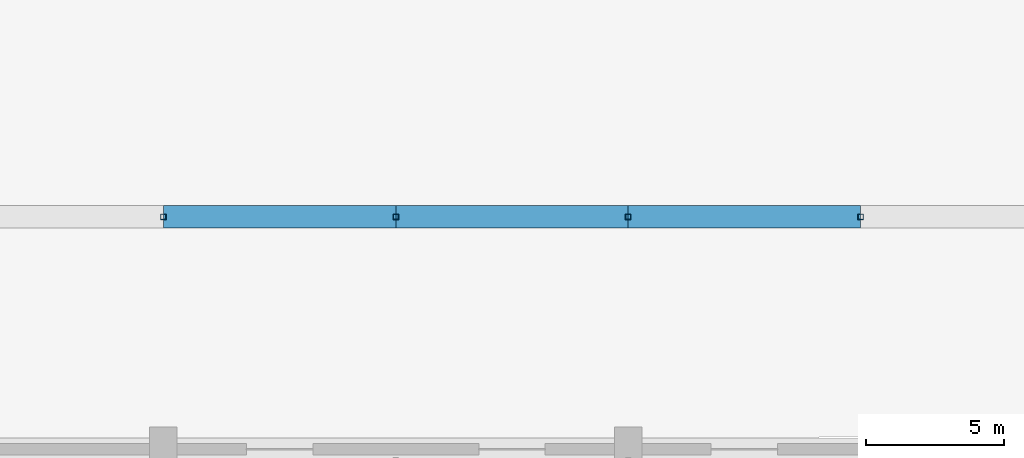
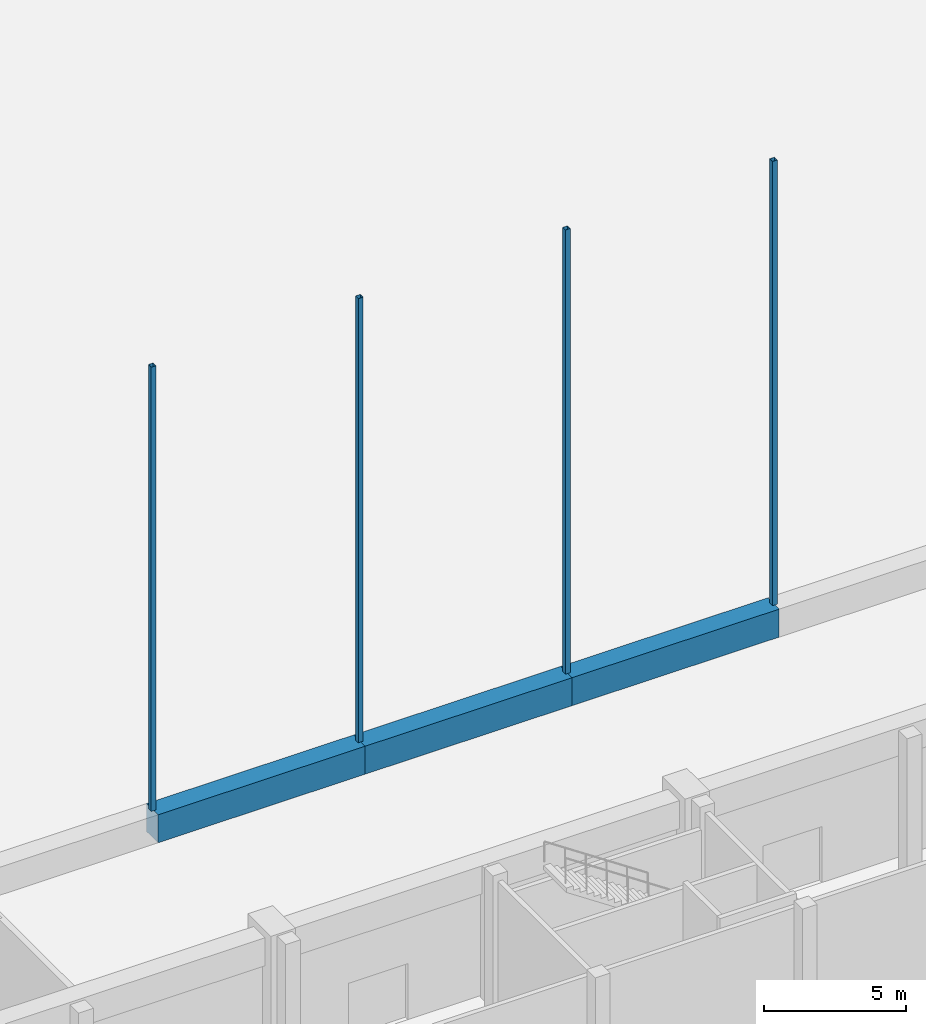
# One storey, part 52 of 210: 4 members, 3 beams.
"""IFC4 building model written with IfcOpenShell, lengths in metres."""

import ifcopenshell
import ifcopenshell.guid

model = None  # the IFC model being written
_history = None  # IfcOwnerHistory: only IFC2X3 demands one
_inside = {}  # id of a spatial element -> (the spatial element, [elements in it])
_under = {}  # id of a project, library or spatial element -> (it, [spatial elements below it])
_declared = {}  # id of a project -> (the project, [libraries it declares])
_typed = {}  # id of a type object -> (the type object, [elements of that type])
_made_of = {}  # id of a material, layer set ... -> (it, [elements and type objects made of it])


def new_model(schema):
    """Start an empty IFC model of exactly this schema.

    Asked for "IFC4X3", IfcOpenShell would pick the latest addendum, in which some entities
    have other attributes; the version numbers below select the first issue.
    IFC2X3 requires an IfcOwnerHistory on every rooted entity: one is made here for all.
    """
    global model, _history
    if schema == "IFC4X3":
        model = ifcopenshell.file(schema_version=(4, 3, 0, 0))
    else:
        model = ifcopenshell.file(schema=schema)
    _inside.clear()
    _under.clear()
    _declared.clear()
    _typed.clear()
    _made_of.clear()
    _history = None
    if model.schema == "IFC2X3":
        org = make("IfcOrganization", Name="unknown")
        user = make(
            "IfcPersonAndOrganization",
            ThePerson=make("IfcPerson", FamilyName="unknown"),
            TheOrganization=org,
        )
        app = make(
            "IfcApplication",
            ApplicationDeveloper=org,
            Version="unknown",
            ApplicationFullName="unknown",
            ApplicationIdentifier="unknown",
        )
        _history = make(
            "IfcOwnerHistory",
            OwningUser=user,
            OwningApplication=app,
            ChangeAction="ADDED",
            CreationDate=0,
        )
    return model


def make(cls, **values):
    """One entity of the class cls with the attributes given. An attribute that is None is left unset."""
    return model.create_entity(
        cls, **{name: value for name, value in values.items() if value is not None}
    )


def rooted(cls, **values):
    """An entity with a GlobalId (a new one), such as an element, a storey or a relation."""
    return make(cls, GlobalId=ifcopenshell.guid.new(), OwnerHistory=_history, **values)


def si_unit(unit_type, name, prefix=None):
    """IfcSIUnit, for example si_unit("LENGTHUNIT", "METRE", prefix="MILLI")."""
    return make("IfcSIUnit", UnitType=unit_type, Prefix=prefix, Name=name)


def assignment(units):
    """IfcUnitAssignment: the units of a project."""
    return None if units is None else make("IfcUnitAssignment", Units=units)


def point(xyz):
    """IfcCartesianPoint."""
    return None if xyz is None else make("IfcCartesianPoint", Coordinates=xyz)


def direction(xyz):
    """IfcDirection."""
    return None if xyz is None else make("IfcDirection", DirectionRatios=xyz)


def frame(location, z_axis=None, x_axis=None):
    """IfcAxis2Placement3D, a coordinate frame: its origin and axes. An axis left out is left unset."""
    return make(
        "IfcAxis2Placement3D",
        Location=point(location),
        Axis=direction(z_axis),
        RefDirection=direction(x_axis),
    )


def frame_2d(location, x_axis=None):
    """IfcAxis2Placement2D, a coordinate frame in the plane: its origin and x axis."""
    return make(
        "IfcAxis2Placement2D", Location=point(location), RefDirection=direction(x_axis)
    )


def origin():
    """The frame at (0, 0, 0) with its axes left unset."""
    return frame((0.0, 0.0, 0.0))


def origin_2d():
    """The frame at (0, 0) in the plane with its x axis left unset."""
    return frame_2d((0.0, 0.0))


def place(relative_to, where):
    """IfcLocalPlacement: puts the frame where relative to a parent placement (None: the world)."""
    return make(
        "IfcLocalPlacement", PlacementRelTo=relative_to, RelativePlacement=where
    )


def context(
    kind, dimensions, precision=None, world=None, true_north=None, identifier=None
):
    """IfcGeometricRepresentationContext, for example the 3D "Model" context."""
    return make(
        "IfcGeometricRepresentationContext",
        ContextIdentifier=identifier,
        ContextType=kind,
        CoordinateSpaceDimension=dimensions,
        Precision=precision,
        WorldCoordinateSystem=world,
        TrueNorth=true_north,
    )


def subcontext(parent, identifier, kind, view, scale=None):
    """IfcGeometricRepresentationSubContext, for example "Body" below "Model"."""
    return make(
        "IfcGeometricRepresentationSubContext",
        ContextIdentifier=identifier,
        ContextType=kind,
        ParentContext=parent,
        TargetScale=scale,
        TargetView=view,
    )


def project(units=None, contexts=None):
    """IfcProject with its units and contexts."""
    return rooted(
        "IfcProject",
        Name="project",
        RepresentationContexts=contexts,
        UnitsInContext=assignment(units),
    )


def spatial(cls, under=None, at=None, **own):
    """A site, building, storey or space (cls), placed at a placement, below another one or the project."""
    s = rooted(cls, ObjectPlacement=at, **own)
    if under is not None:
        _under.setdefault(under.id(), (under, []))[1].append(s)
    return s


def profile(cls, at=None, kind="AREA", **sizes):
    """A parametric profile (cls). Its sizes go by their IFC names, for example OverallWidth=200.0."""
    return make(cls, ProfileType=kind, Position=at, **sizes)


def rectangle(**sizes):
    """IfcRectangleProfileDef."""
    return profile("IfcRectangleProfileDef", **sizes)


def hollow_rectangle(**sizes):
    """IfcRectangleHollowProfileDef."""
    return profile("IfcRectangleHollowProfileDef", **sizes)


def extrude(swept, where, along, depth):
    """IfcExtrudedAreaSolid: the profile swept, set in the frame where, extruded along a direction by depth."""
    return make(
        "IfcExtrudedAreaSolid",
        SweptArea=swept,
        Position=where,
        ExtrudedDirection=direction(along),
        Depth=depth,
    )


def shape(context_of_items, identifier, shape_type, items):
    """IfcShapeRepresentation: the items that make up one representation, for example the "Body"."""
    return make(
        "IfcShapeRepresentation",
        ContextOfItems=context_of_items,
        RepresentationIdentifier=identifier,
        RepresentationType=shape_type,
        Items=items,
    )


def material(Name=None, Category=None):
    """IfcMaterial."""
    return make("IfcMaterial", Name=Name, Category=Category)


def material_profile(
    of_material, cross_section, Name=None, Category=None, Priority=None
):
    """IfcMaterialProfile: a cross section and its material."""
    return make(
        "IfcMaterialProfile",
        Name=Name,
        Material=of_material,
        Profile=cross_section,
        Priority=Priority,
        Category=Category,
    )


def profile_set(profiles, Name=None, composite=None):
    """IfcMaterialProfileSet."""
    return make(
        "IfcMaterialProfileSet",
        Name=Name,
        MaterialProfiles=profiles,
        CompositeProfile=composite,
    )


def made_of(thing, what):
    """Note that an element or type object is made of a material, layer set ...; save() writes the relation."""
    if what is not None:
        _made_of.setdefault(what.id(), (what, []))[1].append(thing)
    return thing


def type_object(cls, material=None, **own):
    """A type object (cls), such as IfcWallType, which elements share."""
    return made_of(rooted(cls, **own), material)


def element(
    cls,
    number,
    at=None,
    inside=None,
    cuts=None,
    type_object=None,
    material=None,
    context=None,
    identifier="Body",
    shape_type=None,
    held_by="IfcProductDefinitionShape",
    body=None,
    shapes=None,
    **own,
):
    """One element of the class cls, such as IfcWall. Its Tag is "e" and its number.

    at: its placement. inside: the storey or other place that contains it. cuts: it is an
    opening in that element (IfcRelVoidsElement). A single representation is given by context,
    identifier, shape_type and body (its items); several are given by shapes. held_by: the class
    of the entity that holds the representations. save() writes the other relations.
    """
    e = rooted(cls, Tag="e%d" % number, ObjectPlacement=at, **own)
    if body is not None:
        shapes = [shape(context, identifier, shape_type, body)]
    if shapes is not None:
        e.Representation = make(held_by, Representations=shapes)
    if inside is not None:
        _inside.setdefault(inside.id(), (inside, []))[1].append(e)
    if cuts is not None:
        rooted(
            "IfcRelVoidsElement", RelatingBuildingElement=cuts, RelatedOpeningElement=e
        )
    if type_object is not None:
        _typed.setdefault(type_object.id(), (type_object, []))[1].append(e)
    return made_of(e, material)


def aggregate(whole, parts):
    """IfcRelAggregates: a whole, such as a stair, and the parts it consists of."""
    return rooted("IfcRelAggregates", RelatingObject=whole, RelatedObjects=parts)


def save(model, path):
    """Write the relations noted so far, then the file.

    IfcRelAggregates (storeys below a building ...), IfcRelContainedInSpatialStructure (elements
    in a storey), IfcRelDefinesByType, IfcRelAssociatesMaterial and IfcRelDeclares: one each for
    every whole, place, type object, material and project.
    """
    for whole, parts in _under.values():
        aggregate(whole, parts)
    for where, things in _inside.values():
        rooted(
            "IfcRelContainedInSpatialStructure",
            RelatedElements=things,
            RelatingStructure=where,
        )
    for kind, things in _typed.values():
        rooted("IfcRelDefinesByType", RelatedObjects=things, RelatingType=kind)
    for what, things in _made_of.values():
        rooted("IfcRelAssociatesMaterial", RelatedObjects=things, RelatingMaterial=what)
    for by, libraries in _declared.values():
        rooted("IfcRelDeclares", RelatingContext=by, RelatedDefinitions=libraries)
    model.write(path)


model = new_model("IFC4")

# Units and contexts
model_context = context("Model", 3, precision=1e-05, world=origin(), true_north=direction((0.0, 1.0)))
body_context = subcontext(model_context, "Body", "Model", "MODEL_VIEW")
ifc_project = project(units=[si_unit("LENGTHUNIT", "METRE"), si_unit("AREAUNIT", "SQUARE_METRE"), si_unit("VOLUMEUNIT", "CUBIC_METRE"), si_unit("PLANEANGLEUNIT", "RADIAN"), si_unit("MASSUNIT", "GRAM", prefix="KILO")], contexts=[model_context])

# Site, building, storey
site_placement = place(None, origin())
site = spatial("IfcSite", under=ifc_project, at=site_placement, CompositionType="ELEMENT")
building_placement = place(site_placement, origin())
building = spatial("IfcBuilding", under=site, at=building_placement, Name="Rain Tree Exposition and Congress Centre", CompositionType="ELEMENT")
storey_placement = place(building_placement, origin())
storey = spatial("IfcBuildingStorey", under=building, at=storey_placement, Name="L00", CompositionType="ELEMENT", Elevation=0.0)

# Beams
ifc_material_1 = material(Name="Precast concrete C50/60", Category="concrete")
ifc_material_profile_1 = material_profile(ifc_material_1, rectangle(XDim=0.800048828125, YDim=1.199951171875, at=origin_2d()), Name="RC 800x1200")
ifc_profile_set_1 = profile_set([ifc_material_profile_1], Name="Precast concrete C50/60")
beam_type = type_object("IfcBeamType", Name="Precast beam 800x1200", PredefinedType="BEAM", material=ifc_profile_set_1)
for number, where, z_axis, x_axis, name in (
    (1, (159.60009765625, 109.199951171875, 5.10009765625), (1.0, 0.0, 0.0), (0.0, 1.0, 0.0), "Gallery edge beam 2"),
    (2, (168.0, 109.199951171875, 5.10009765625), (1.0, 0.0, 0.0), (0.0, 1.0, 0.0), "Gallery edge beam 3"),
):
    element("IfcBeam", number, at=place(storey_placement, frame(where, z_axis=z_axis, x_axis=x_axis)), inside=storey, type_object=beam_type, Name=name, PredefinedType="BEAM", context=body_context, shape_type="SweptSolid", body=[
        extrude(rectangle(XDim=0.800048828125, YDim=1.199951171875, at=origin_2d()), origin(), (0.0, 0.0, 1.0), 8.39990234375),
    ])
beam_placement = place(storey_placement, frame((176.39990234375, 109.199951171875, 5.10009765625), z_axis=(1.0, 0.0, 0.0), x_axis=(0.0, 1.0, 0.0)))
element("IfcBeam", 3, at=beam_placement, inside=storey, type_object=beam_type, Name="Gallery edge beam 4", PredefinedType="BEAM", context=body_context, shape_type="SweptSolid", body=[
    extrude(rectangle(XDim=0.800048828125, YDim=1.199951171875, at=origin_2d()), origin(), (0.0, 0.0, 1.0), 8.400146484375),
])

# Members
ifc_material_2 = material(Name="Steel S355J2H", Category="steel")
ifc_material_profile_2 = material_profile(ifc_material_2, hollow_rectangle(XDim=0.199951171875, YDim=0.199951171875, WallThickness=0.009033203125, at=origin_2d()), Name="RHS 200x200x9")
ifc_profile_set_2 = profile_set([ifc_material_profile_2], Name="Steel S355J2H")
member_type = type_object("IfcMemberType", Name="Steel member member RHS 200x200x9", PredefinedType="MEMBER", material=ifc_profile_set_2)
for number, where, z_axis, x_axis, name in (
    (4, (159.60009765625, 109.199951171875, 5.699951171875), (0.0, 0.0, 1.0), (1.0, 0.0, 0.0), "Gallery hanger 11"),
    (5, (168.0, 109.199951171875, 5.699951171875), (0.0, 0.0, 1.0), (1.0, 0.0, 0.0), "Gallery hanger 12"),
    (6, (176.39990234375, 109.199951171875, 5.699951171875), (0.0, 0.0, 1.0), (1.0, 0.0, 0.0), "Gallery hanger 13"),
    (7, (184.800048828125, 109.199951171875, 5.699951171875), (0.0, 0.0, 1.0), (1.0, 0.0, 0.0), "Gallery hanger 14"),
):
    element("IfcMember", number, at=place(storey_placement, frame(where, z_axis=z_axis, x_axis=x_axis)), inside=storey, type_object=member_type, Name=name, PredefinedType="MEMBER", context=body_context, shape_type="SweptSolid", body=[
        extrude(hollow_rectangle(XDim=0.199951171875, YDim=0.199951171875, WallThickness=0.009033203125, at=origin_2d()), origin(), (0.0, 0.0, 1.0), 19.0439453125),
    ])

save(model, "model.ifc")
